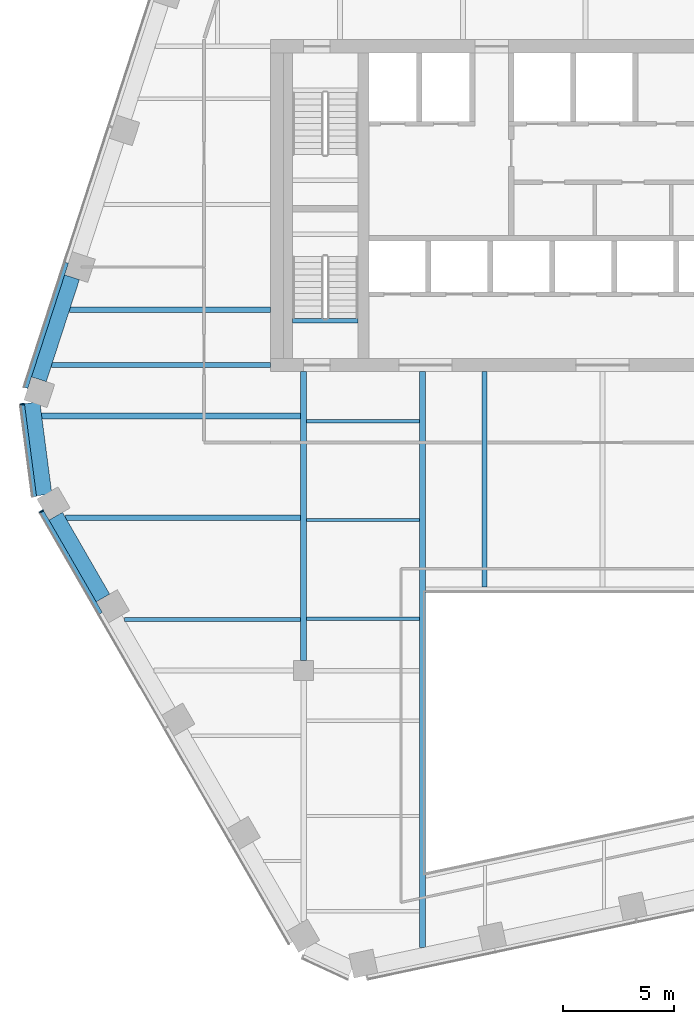
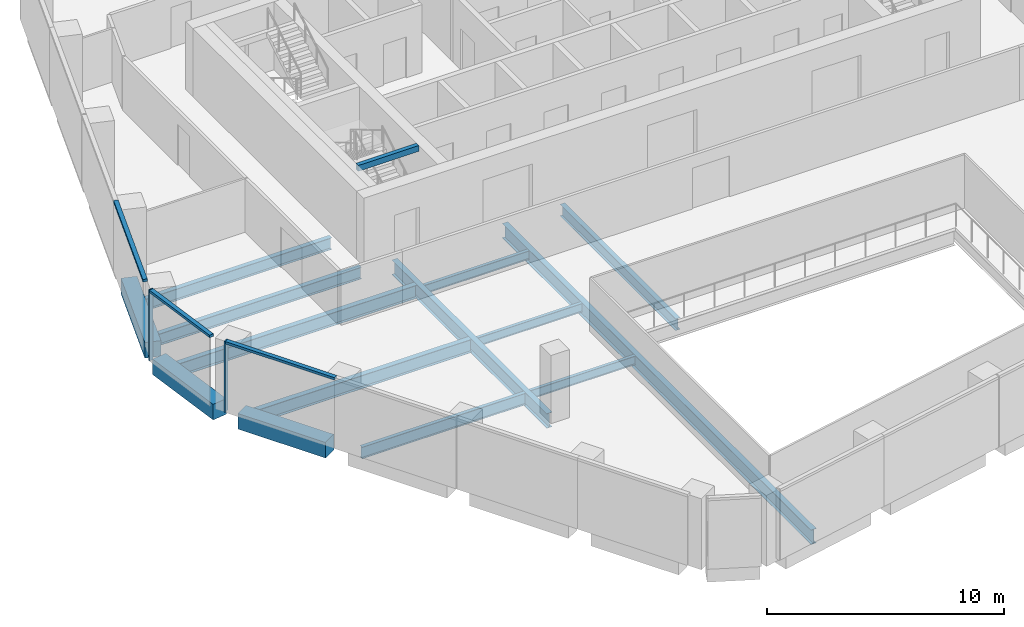
# One storey, part 3 of 15: 15 beams, 5 members, 3 elements without a shape of their own.
"""IFC4 building model written with IfcOpenShell, lengths in metres."""

from ifc_helpers import new_model, si_unit, direction, frame, origin, origin_2d, place, context, subcontext, project, spatial, rectangle, i_section, extrude, material, layer, layer_set, material_profile, profile_set, type_object, element, aggregate, save


model = new_model("IFC4")

# Units and contexts
model_context = context("Model", 3, precision=1e-05, world=origin(), true_north=direction((0.0, 1.0)))
body_context = subcontext(model_context, "Body", "Model", "MODEL_VIEW")
ifc_project = project(units=[si_unit("LENGTHUNIT", "METRE"), si_unit("AREAUNIT", "SQUARE_METRE"), si_unit("VOLUMEUNIT", "CUBIC_METRE"), si_unit("PLANEANGLEUNIT", "RADIAN"), si_unit("MASSUNIT", "GRAM", prefix="KILO")], contexts=[model_context])

# Site, building, storey
site_placement = place(None, origin())
site = spatial("IfcSite", under=ifc_project, at=site_placement, CompositionType="ELEMENT")
building_placement = place(site_placement, origin())
building = spatial("IfcBuilding", under=site, at=building_placement, Name="Isthmus Gate Tower", CompositionType="ELEMENT")
storey_placement = place(building_placement, frame((0.0, 0.0, 223.60009765625)))
storey = spatial("IfcBuildingStorey", under=building, at=storey_placement, Name="L56", CompositionType="ELEMENT", Elevation=223.60009765625)

# Curtain wall, member
ifc_material_1 = material(Name="Aluminium, pale champagne anodised", Category="aluminium")
ifc_layer = layer(ifc_material_1, 0.199951171875)
ifc_layer_set = layer_set([ifc_layer], Name="CW-1 UNITISED CURTAIN WALL 200 DEEP")
curtain_wall_type = type_object("IfcCurtainWallType", Name="CW-1 UNITISED CURTAIN WALL 200 DEEP", PredefinedType="NOTDEFINED", material=ifc_layer_set)
curtain_wall_1_placement = place(storey_placement, origin())
curtain_wall_1 = element("IfcCurtainWall", 1, at=curtain_wall_1_placement, inside=storey, type_object=curtain_wall_type, Name="CW-1 NW-SW L56", PredefinedType="NOTDEFINED")
ifc_material_2 = material(Name="Aluminium, pale champagne anodised", Category="aluminium")
ifc_material_profile_1 = material_profile(ifc_material_2, rectangle(XDim=0.06005859375, YDim=0.199951171875, at=origin_2d()), Name="60x200")
ifc_profile_set_1 = profile_set([ifc_material_profile_1], Name="Aluminium, pale champagne anodised")
member_type_1 = type_object("IfcMemberType", Name="CW-1 MULLION 60 X 200", PredefinedType="MULLION", material=ifc_profile_set_1)
member_1_placement = place(storey_placement, frame((-26.205322265625, -1.4658203125, 0.0), z_axis=(0.0, 0.0, 1.0), x_axis=(0.129164534, -0.991623175988, 0.0)))
member_1 = element("IfcMember", 2, at=member_1_placement, type_object=member_type_1, Name="CW-1 mullion", PredefinedType="MULLION", context=body_context, shape_type="SweptSolid", body=[
    extrude(rectangle(XDim=0.06005859375, YDim=0.199951171875, at=origin_2d()), origin(), (0.0, 0.0, 1.0), 3.64990234375),
])

curtain_wall_2_placement = place(storey_placement, origin())
curtain_wall_2 = element("IfcCurtainWall", 3, at=curtain_wall_2_placement, inside=storey, type_object=curtain_wall_type, Name="CW-1 SW L56", PredefinedType="NOTDEFINED")
member_2_placement = place(storey_placement, frame((-25.3427734375, -6.304931640625, 0.0), z_axis=(0.0, 0.0, 1.0), x_axis=(0.5, -0.866025403784, 0.0)))
member_2 = element("IfcMember", 4, at=member_2_placement, type_object=member_type_1, Name="CW-1 mullion", PredefinedType="MULLION", context=body_context, shape_type="SweptSolid", body=[
    extrude(rectangle(XDim=0.06005859375, YDim=0.199951171875, at=origin_2d()), origin(), (0.0, 0.0, 1.0), 3.64990234375),
])

curtain_wall_3_placement = place(storey_placement, origin())
curtain_wall_3 = element("IfcCurtainWall", 5, at=curtain_wall_3_placement, inside=storey, type_object=curtain_wall_type, Name="CW-1 NW L56", PredefinedType="NOTDEFINED")
ifc_material_3 = material(Name="Aluminium, pale champagne anodised", Category="aluminium")
ifc_material_profile_2 = material_profile(ifc_material_3, rectangle(XDim=0.199951171875, YDim=0.1298828125, at=origin_2d()), Name="200x130")
ifc_profile_set_2 = profile_set([ifc_material_profile_2], Name="Aluminium, pale champagne anodised")
member_type_2 = type_object("IfcMemberType", Name="CW-1 TRANSOM 200 X 130", PredefinedType="USERDEFINED", material=ifc_profile_set_2)
member_3_placement = place(storey_placement, frame((-24.217529296875, 4.92333984375, 3.5849609375), z_axis=(-0.309020108403, -0.951055504481, 0.0), x_axis=(0.951055504481, -0.309020108403, 0.0)))
member_3 = element("IfcMember", 6, at=member_3_placement, type_object=member_type_2, Name="CW-1 transom", ObjectType="TRANSOM", PredefinedType="USERDEFINED", context=body_context, shape_type="SweptSolid", body=[
    extrude(rectangle(XDim=0.199951171875, YDim=0.1298828125, at=origin_2d()), origin(), (0.0, 0.0, 1.0), 5.94189453125),
])
aggregate(curtain_wall_3, [member_3])

# Member
member_4_placement = place(storey_placement, frame((-26.20166015625, -1.495361328125, 3.5849609375), z_axis=(0.129206893318, -0.991617657527, 0.0), x_axis=(0.991617657527, 0.129206893318, 0.0)))
member_4 = element("IfcMember", 7, at=member_4_placement, type_object=member_type_2, Name="CW-1 transom", ObjectType="TRANSOM", PredefinedType="USERDEFINED", context=body_context, shape_type="SweptSolid", body=[
    extrude(rectangle(XDim=0.199951171875, YDim=0.1298828125, at=origin_2d()), origin(), (0.0, 0.0, 1.0), 4.181640625),
])

aggregate(curtain_wall_1, [member_1, member_4])

member_5_placement = place(storey_placement, frame((-25.327880859375, -6.3310546875, 3.5849609375), z_axis=(0.500022807565, -0.86601223543, 0.0), x_axis=(0.86601223543, 0.500022807565, 0.0)))
member_5 = element("IfcMember", 8, at=member_5_placement, type_object=member_type_2, Name="CW-1 transom", ObjectType="TRANSOM", PredefinedType="USERDEFINED", context=body_context, shape_type="SweptSolid", body=[
    extrude(rectangle(XDim=0.199951171875, YDim=0.1298828125, at=origin_2d()), origin(), (0.0, 0.0, 1.0), 5.300537109375),
])

aggregate(curtain_wall_2, [member_2, member_5])

# Beams
ifc_material_4 = material(Name="Concrete f'c 50 MPa", Category="concrete")
ifc_material_profile_3 = material_profile(ifc_material_4, rectangle(XDim=0.699951171875, YDim=0.800048828125, at=origin_2d()), Name="RC 700X800")
ifc_profile_set_3 = profile_set([ifc_material_profile_3], Name="Concrete f'c 50 MPa")
beam_type_1 = type_object("IfcBeamType", Name="RC SPANDREL 700 X 800", PredefinedType="SPANDREL", material=ifc_profile_set_3)
beam_1_placement = place(storey_placement, frame((-22.562744140625, -10.22021484375, -0.400146484375), z_axis=(-0.499996907167, 0.866027189425, 0.0), x_axis=(-0.866027189425, -0.499996907167, 0.0)))
element("IfcBeam", 9, at=beam_1_placement, inside=storey, type_object=beam_type_1, Name="str-spandrel-L56-19", PredefinedType="SPANDREL", context=body_context, shape_type="SweptSolid", body=[
    extrude(rectangle(XDim=0.699951171875, YDim=0.800048828125, at=origin_2d()), origin(), (0.0, 0.0, 1.0), 4.2607421875),
])
beam_2_placement = place(storey_placement, frame((-25.218017578125, -5.563232421875, -0.400146484375), z_axis=(-0.129137748309, 0.991626664608, 0.0), x_axis=(-0.991626664608, -0.129137748309, 0.0)))
element("IfcBeam", 10, at=beam_2_placement, inside=storey, type_object=beam_type_1, Name="str-spandrel-L56-20", PredefinedType="SPANDREL", context=body_context, shape_type="SweptSolid", body=[
    extrude(rectangle(XDim=0.699951171875, YDim=0.800048828125, at=origin_2d()), origin(), (0.0, 0.0, 1.0), 4.197021484375),
])
beam_3_placement = place(storey_placement, frame((-25.455810546875, -0.34375, -0.400146484375), z_axis=(0.309033626624, 0.951051111989, 0.0), x_axis=(-0.951051111989, 0.309033626624, 0.0)))
element("IfcBeam", 11, at=beam_3_placement, inside=storey, type_object=beam_type_1, Name="str-spandrel-L56-21", PredefinedType="SPANDREL", context=body_context, shape_type="SweptSolid", body=[
    extrude(rectangle(XDim=0.699951171875, YDim=0.800048828125, at=origin_2d()), origin(), (0.0, 0.0, 1.0), 4.842041015625),
])
ifc_material_5 = material(Name="Concrete f'c 40 MPa", Category="concrete")
ifc_material_profile_4 = material_profile(ifc_material_5, rectangle(XDim=0.199951171875, YDim=0.300048828125, at=origin_2d()), Name="STAIR LANDING BEAM RC 200 X 300")
ifc_profile_set_4 = profile_set([ifc_material_profile_4], Name="Concrete f'c 40 MPa")
beam_type_2 = type_object("IfcBeamType", Name="STAIR LANDING BEAM RC 200 X 300", PredefinedType="BEAM", material=ifc_profile_set_4)
beam_4_placement = place(storey_placement, frame((-14.0, 2.2998046875, 3.349853515625), z_axis=(1.0, 0.0, 0.0), x_axis=(0.0, 1.0, 0.0)))
element("IfcBeam", 12, at=beam_4_placement, inside=storey, type_object=beam_type_2, Name="L56 ST7 floor-edge seat beam", PredefinedType="BEAM", context=body_context, shape_type="SweptSolid", body=[
    extrude(rectangle(XDim=0.199951171875, YDim=0.300048828125, at=origin_2d()), origin(), (0.0, 0.0, 1.0), 2.949951171875),
])
ifc_material_6 = material(Name="Structural steel ASTM A992 Gr 50", Category="steel")
ifc_material_profile_5 = material_profile(ifc_material_6, i_section(OverallWidth=0.15234375, OverallDepth=0.45068359375, WebThickness=0.0078125, FlangeThickness=0.010986328125, at=origin_2d()), Name="W18X35")
ifc_profile_set_5 = profile_set([ifc_material_profile_5], Name="Structural steel ASTM A992 Gr 50")
beam_type_3 = type_object("IfcBeamType", Name="STEEL FLOOR BEAM W18X35", PredefinedType="JOIST", material=ifc_profile_set_5)
for number, where, z_axis, x_axis, name in (
    (13, (-13.3681640625, -11.16259765625, -0.37548828125), (1.0, 0.0, 0.0), (0.0, 1.0, 0.0), "str-beam-L56-03-00"),
    (14, (-13.3681640625, -6.697509765625, -0.37548828125), (1.0, 0.0, 0.0), (0.0, 1.0, 0.0), "str-beam-L56-03-01"),
    (15, (-13.3681640625, -2.232421875, -0.37548828125), (1.0, 0.0, 0.0), (0.0, 1.0, 0.0), "str-beam-L56-03-02"),
):
    element("IfcBeam", number, at=place(storey_placement, frame(where, z_axis=z_axis, x_axis=x_axis)), inside=storey, type_object=beam_type_3, Name=name, PredefinedType="JOIST", context=body_context, shape_type="SweptSolid", body=[
        extrude(i_section(OverallWidth=0.15234375, OverallDepth=0.45068359375, WebThickness=0.0078125, FlangeThickness=0.010986328125, at=origin_2d()), origin(), (0.0, 0.0, 1.0), 5.104736328125),
    ])
ifc_material_7 = material(Name="Structural steel ASTM A992 Gr 50", Category="steel")
ifc_material_profile_6 = material_profile(ifc_material_7, i_section(OverallWidth=0.177734375, OverallDepth=0.60009765625, WebThickness=0.009521484375, FlangeThickness=0.0126953125, at=origin_2d()), Name="W24X55")
ifc_profile_set_6 = profile_set([ifc_material_profile_6], Name="Structural steel ASTM A992 Gr 50")
beam_type_4 = type_object("IfcBeamType", Name="STEEL FLOOR BEAM W24X55", PredefinedType="JOIST", material=ifc_profile_set_6)
beam_5_placement = place(storey_placement, frame((-21.593017578125, -11.199951171875, -0.4501953125), z_axis=(1.0, 0.0, 0.0), x_axis=(0.0, 1.0, 0.0)))
element("IfcBeam", 16, at=beam_5_placement, inside=storey, type_object=beam_type_4, Name="str-beam-L56-01-00", PredefinedType="JOIST", context=body_context, shape_type="SweptSolid", body=[
    extrude(i_section(OverallWidth=0.177734375, OverallDepth=0.60009765625, WebThickness=0.009521484375, FlangeThickness=0.0126953125, at=origin_2d()), origin(), (0.0, 0.0, 1.0), 7.961181640625),
])
ifc_material_8 = material(Name="Structural steel ASTM A992 Gr 50", Category="steel")
ifc_material_profile_7 = material_profile(ifc_material_8, i_section(OverallWidth=0.228515625, OverallDepth=0.603271484375, WebThickness=0.010986328125, FlangeThickness=0.014404296875, at=origin_2d()), Name="W24X68")
ifc_profile_set_7 = profile_set([ifc_material_profile_7], Name="Structural steel ASTM A992 Gr 50")
beam_type_5 = type_object("IfcBeamType", Name="STEEL FLOOR BEAM W24X68", PredefinedType="JOIST", material=ifc_profile_set_7)
beam_6_placement = place(storey_placement, frame((-24.06787109375, 2.795166015625, -0.45166015625), z_axis=(1.0, 0.0, 0.0), x_axis=(0.0, 1.0, 0.0)))
element("IfcBeam", 17, at=beam_6_placement, inside=storey, type_object=beam_type_5, Name="str-beam-L56-00-00", PredefinedType="JOIST", context=body_context, shape_type="SweptSolid", body=[
    extrude(i_section(OverallWidth=0.228515625, OverallDepth=0.603271484375, WebThickness=0.010986328125, FlangeThickness=0.014404296875, at=origin_2d()), origin(), (0.0, 0.0, 1.0), 9.06787109375),
])
beam_7_placement = place(storey_placement, frame((-5.333251953125, -9.7333984375, -0.45166015625), z_axis=(0.0, 1.0, 0.0), x_axis=(-1.0, 0.0, 0.0)))
element("IfcBeam", 18, at=beam_7_placement, inside=storey, type_object=beam_type_5, Name="str-beam-L56-07-00", PredefinedType="JOIST", context=body_context, shape_type="SweptSolid", body=[
    extrude(i_section(OverallWidth=0.228515625, OverallDepth=0.603271484375, WebThickness=0.010986328125, FlangeThickness=0.014404296875, at=origin_2d()), origin(), (0.0, 0.0, 1.0), 9.7333984375),
])
ifc_material_9 = material(Name="Structural steel ASTM A992 Gr 50", Category="steel")
ifc_material_profile_8 = material_profile(ifc_material_9, i_section(OverallWidth=0.25390625, OverallDepth=0.679443359375, WebThickness=0.010986328125, FlangeThickness=0.015869140625, at=origin_2d()), Name="W27X84")
ifc_profile_set_8 = profile_set([ifc_material_profile_8], Name="Structural steel ASTM A992 Gr 50")
beam_type_6 = type_object("IfcBeamType", Name="STEEL FLOOR BEAM W27X84", PredefinedType="JOIST", material=ifc_profile_set_8)
beam_8_placement = place(storey_placement, frame((-24.248779296875, -6.60009765625, -0.48974609375), z_axis=(1.0, 0.0, 0.0), x_axis=(0.0, 1.0, 0.0)))
element("IfcBeam", 19, at=beam_8_placement, inside=storey, type_object=beam_type_6, Name="str-beam-L56-01-01", PredefinedType="JOIST", context=body_context, shape_type="SweptSolid", body=[
    extrude(i_section(OverallWidth=0.25390625, OverallDepth=0.679443359375, WebThickness=0.010986328125, FlangeThickness=0.015869140625, at=origin_2d()), origin(), (0.0, 0.0, 1.0), 10.616943359375),
])
beam_9_placement = place(storey_placement, frame((-25.3291015625, -2.0, -0.48974609375), z_axis=(1.0, 0.0, 0.0), x_axis=(0.0, 1.0, 0.0)))
element("IfcBeam", 20, at=beam_9_placement, inside=storey, type_object=beam_type_6, Name="str-beam-L56-01-02", PredefinedType="JOIST", context=body_context, shape_type="SweptSolid", body=[
    extrude(i_section(OverallWidth=0.25390625, OverallDepth=0.679443359375, WebThickness=0.010986328125, FlangeThickness=0.015869140625, at=origin_2d()), origin(), (0.0, 0.0, 1.0), 11.697265625),
])
ifc_material_10 = material(Name="Structural steel ASTM A992 Gr 50", Category="steel")
ifc_material_profile_9 = material_profile(ifc_material_10, i_section(OverallWidth=0.228515625, OverallDepth=0.6064453125, WebThickness=0.010986328125, FlangeThickness=0.017578125, at=origin_2d()), Name="W24X76")
ifc_profile_set_9 = profile_set([ifc_material_profile_9], Name="Structural steel ASTM A992 Gr 50")
beam_type_7 = type_object("IfcBeamType", Name="STEEL GIRDER W24X76", PredefinedType="BEAM", material=ifc_profile_set_9)
beam_10_placement = place(storey_placement, frame((-15.0, 0.300048828125, -0.453369140625), z_axis=(-1.0, 0.0, 0.0), x_axis=(0.0, -1.0, 0.0)))
element("IfcBeam", 21, at=beam_10_placement, inside=storey, type_object=beam_type_7, Name="str-girder-L56-09", PredefinedType="BEAM", context=body_context, shape_type="SweptSolid", body=[
    extrude(i_section(OverallWidth=0.228515625, OverallDepth=0.6064453125, WebThickness=0.010986328125, FlangeThickness=0.017578125, at=origin_2d()), origin(), (0.0, 0.0, 1.0), 9.878662109375),
])
ifc_material_11 = material(Name="Structural steel ASTM A992 Gr 50", Category="steel")
ifc_material_profile_10 = material_profile(ifc_material_11, i_section(OverallWidth=0.263427734375, OverallDepth=0.749267578125, WebThickness=0.0126953125, FlangeThickness=0.015869140625, at=origin_2d()), Name="W30X90")
ifc_profile_set_10 = profile_set([ifc_material_profile_10], Name="Structural steel ASTM A992 Gr 50")
beam_type_8 = type_object("IfcBeamType", Name="STEEL GIRDER W30X90", PredefinedType="BEAM", material=ifc_profile_set_10)
beam_11_placement = place(storey_placement, frame((-13.5, -13.050048828125, -0.524658203125), z_axis=(0.0, 1.0, 0.0), x_axis=(-1.0, 0.0, 0.0)))
element("IfcBeam", 22, at=beam_11_placement, inside=storey, type_object=beam_type_8, Name="str-girder-L56-06", PredefinedType="BEAM", context=body_context, shape_type="SweptSolid", body=[
    extrude(i_section(OverallWidth=0.263427734375, OverallDepth=0.749267578125, WebThickness=0.0126953125, FlangeThickness=0.015869140625, at=origin_2d()), origin(), (0.0, 0.0, 1.0), 13.050048828125),
])
ifc_material_12 = material(Name="Structural steel ASTM A992 Gr 50", Category="steel")
ifc_material_profile_11 = material_profile(ifc_material_12, i_section(OverallWidth=0.263427734375, OverallDepth=0.749267578125, WebThickness=0.0126953125, FlangeThickness=0.015869140625, at=origin_2d()), Name="W30X90")
ifc_profile_set_11 = profile_set([ifc_material_profile_11], Name="Structural steel ASTM A992 Gr 50")
beam_type_9 = type_object("IfcBeamType", Name="STEEL TRIMMER W30X90", PredefinedType="BEAM", material=ifc_profile_set_11)
beam_12_placement = place(storey_placement, frame((-8.1318359375, 0.0, -0.524658203125), z_axis=(0.0, -1.0, 0.0), x_axis=(1.0, 0.0, 0.0)))
element("IfcBeam", 23, at=beam_12_placement, inside=storey, type_object=beam_type_9, Name="str-trimmer-L56-02", PredefinedType="BEAM", context=body_context, shape_type="SweptSolid", body=[
    extrude(i_section(OverallWidth=0.263427734375, OverallDepth=0.749267578125, WebThickness=0.0126953125, FlangeThickness=0.015869140625, at=origin_2d()), origin(), (0.0, 0.0, 1.0), 26.012939453125),
])

save(model, "model.ifc")
